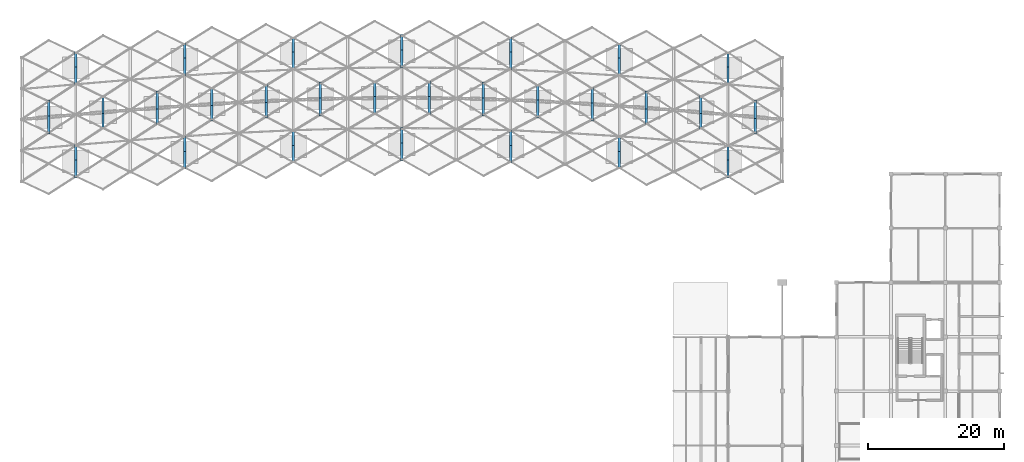
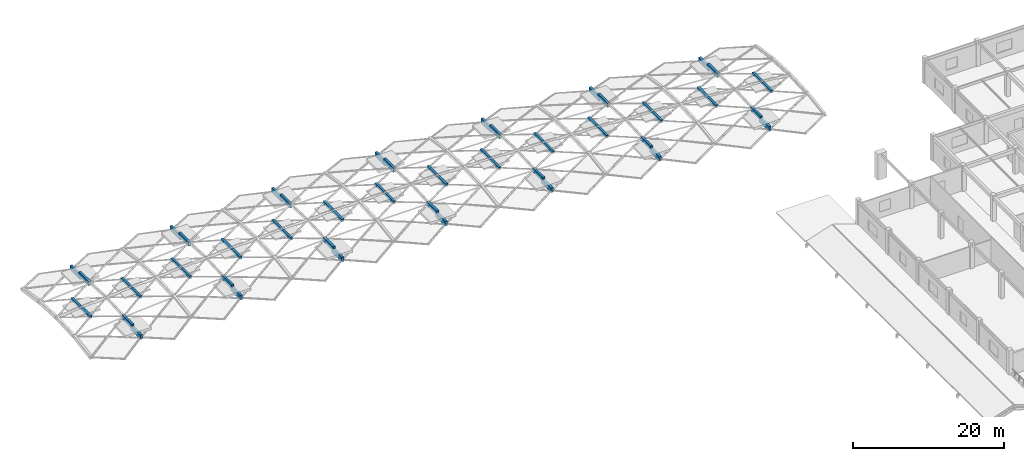
# One storey, part 19 of 27: 56 discrete accessories.
"""IFC4 building model written with IfcOpenShell, lengths in metres."""

from ifc_helpers import new_model, si_unit, direction, frame, origin, origin_2d, place, context, subcontext, project, spatial, rectangle, extrude, material, type_object, element, save


model = new_model("IFC4")

# Units and contexts
model_context = context("Model", 3, precision=1e-05, world=origin(), true_north=direction((0.0, 1.0)))
body_context = subcontext(model_context, "Body", "Model", "MODEL_VIEW")
ifc_project = project(units=[si_unit("LENGTHUNIT", "METRE"), si_unit("AREAUNIT", "SQUARE_METRE"), si_unit("VOLUMEUNIT", "CUBIC_METRE"), si_unit("PLANEANGLEUNIT", "RADIAN"), si_unit("MASSUNIT", "GRAM", prefix="KILO")], contexts=[model_context])

# Site, building, storey
site_placement = place(None, origin())
site = spatial("IfcSite", under=ifc_project, at=site_placement, CompositionType="ELEMENT")
building_placement = place(site_placement, origin())
building = spatial("IfcBuilding", under=site, at=building_placement, Name="Kenh Van Central Station", CompositionType="ELEMENT")
storey_placement = place(building_placement, frame((0.0, 0.0, 19.199951171875)))
storey = spatial("IfcBuildingStorey", under=building, at=storey_placement, Name="L04", CompositionType="ELEMENT", Elevation=19.199951171875)

# Discrete accessories
ifc_material = material(Name="White fluoropolymer structural steel S355", Category="steel")
discrete_accessory_type = type_object("IfcDiscreteAccessoryType", Name="ACC-BRKT-STL", PredefinedType="BRACKET", material=ifc_material)
discrete_accessory_1_placement = place(storey_placement, frame((36.0, 87.211181640625, 1.763916015625), z_axis=(0.0, 0.0, 1.0), x_axis=(1.0, 0.0, 0.0)))
element("IfcDiscreteAccessory", 1, at=discrete_accessory_1_placement, inside=storey, type_object=discrete_accessory_type, Name="Vault louvre fixing bracket 001", PredefinedType="BRACKET", context=body_context, shape_type="SweptSolid", body=[
    extrude(rectangle(XDim=0.360107421875, YDim=2.65185546875, at=origin_2d()), origin(), (0.0, 0.0, 1.0), 0.38818359375),
])
discrete_accessory_2_placement = place(storey_placement, frame((36.0, 89.504150390625, 1.763916015625), z_axis=(0.0, 0.0, 1.0), x_axis=(1.0, 0.0, 0.0)))
element("IfcDiscreteAccessory", 2, at=discrete_accessory_2_placement, inside=storey, type_object=discrete_accessory_type, Name="Vault louvre fixing bracket 002", PredefinedType="BRACKET", context=body_context, shape_type="SweptSolid", body=[
    extrude(rectangle(XDim=0.360107421875, YDim=2.654052734375, at=origin_2d()), origin(), (0.0, 0.0, 1.0), 0.38818359375),
])
discrete_accessory_3_placement = place(storey_placement, frame((40.0, 80.728759765625, 0.90185546875), z_axis=(0.0, 0.0, 1.0), x_axis=(1.0, 0.0, 0.0)))
element("IfcDiscreteAccessory", 3, at=discrete_accessory_3_placement, inside=storey, type_object=discrete_accessory_type, Name="Vault louvre fixing bracket 005", PredefinedType="BRACKET", context=body_context, shape_type="SweptSolid", body=[
    extrude(rectangle(XDim=0.360107421875, YDim=2.619384765625, at=origin_2d()), origin(), (0.0, 0.0, 1.0), 0.73681640625),
])
discrete_accessory_4_placement = place(storey_placement, frame((40.0, 82.995361328125, 1.2783203125), z_axis=(0.0, 0.0, 1.0), x_axis=(1.0, 0.0, 0.0)))
element("IfcDiscreteAccessory", 4, at=discrete_accessory_4_placement, inside=storey, type_object=discrete_accessory_type, Name="Vault louvre fixing bracket 006", PredefinedType="BRACKET", context=body_context, shape_type="SweptSolid", body=[
    extrude(rectangle(XDim=0.360107421875, YDim=2.63330078125, at=origin_2d()), origin(), (0.0, 0.0, 1.0), 0.676025390625),
])
discrete_accessory_5_placement = place(storey_placement, frame((40.0, 94.4267578125, 1.2783203125), z_axis=(0.0, 0.0, 1.0), x_axis=(1.0, 0.0, 0.0)))
element("IfcDiscreteAccessory", 5, at=discrete_accessory_5_placement, inside=storey, type_object=discrete_accessory_type, Name="Vault louvre fixing bracket 007", PredefinedType="BRACKET", context=body_context, shape_type="SweptSolid", body=[
    extrude(rectangle(XDim=0.360107421875, YDim=2.62890625, at=origin_2d()), origin(), (0.0, 0.0, 1.0), 0.676025390625),
])
discrete_accessory_6_placement = place(storey_placement, frame((40.0, 96.693115234375, 0.90185546875), z_axis=(0.0, 0.0, 1.0), x_axis=(1.0, 0.0, 0.0)))
element("IfcDiscreteAccessory", 6, at=discrete_accessory_6_placement, inside=storey, type_object=discrete_accessory_type, Name="Vault louvre fixing bracket 008", PredefinedType="BRACKET", context=body_context, shape_type="SweptSolid", body=[
    extrude(rectangle(XDim=0.360107421875, YDim=2.6240234375, at=origin_2d()), origin(), (0.0, 0.0, 1.0), 0.736572265625),
])
discrete_accessory_7_placement = place(storey_placement, frame((44.0, 87.90869140625, 1.763916015625), z_axis=(0.0, 0.0, 1.0), x_axis=(1.0, 0.0, 0.0)))
element("IfcDiscreteAccessory", 7, at=discrete_accessory_7_placement, inside=storey, type_object=discrete_accessory_type, Name="Vault louvre fixing bracket 011", PredefinedType="BRACKET", context=body_context, shape_type="SweptSolid", body=[
    extrude(rectangle(XDim=0.360107421875, YDim=2.649658203125, at=origin_2d()), origin(), (0.0, 0.0, 1.0), 0.38818359375),
])
discrete_accessory_8_placement = place(storey_placement, frame((44.0, 90.20166015625, 1.763916015625), z_axis=(0.0, 0.0, 1.0), x_axis=(1.0, 0.0, 0.0)))
element("IfcDiscreteAccessory", 8, at=discrete_accessory_8_placement, inside=storey, type_object=discrete_accessory_type, Name="Vault louvre fixing bracket 012", PredefinedType="BRACKET", context=body_context, shape_type="SweptSolid", body=[
    extrude(rectangle(XDim=0.360107421875, YDim=2.65625, at=origin_2d()), origin(), (0.0, 0.0, 1.0), 0.38818359375),
])
discrete_accessory_9_placement = place(storey_placement, frame((52.0, 88.553466796875, 1.763916015625), z_axis=(0.0, 0.0, 1.0), x_axis=(1.0, 0.0, 0.0)))
element("IfcDiscreteAccessory", 9, at=discrete_accessory_9_placement, inside=storey, type_object=discrete_accessory_type, Name="Vault louvre fixing bracket 017", PredefinedType="BRACKET", context=body_context, shape_type="SweptSolid", body=[
    extrude(rectangle(XDim=0.360107421875, YDim=2.647705078125, at=origin_2d()), origin(), (0.0, 0.0, 1.0), 0.38818359375),
])
discrete_accessory_10_placement = place(storey_placement, frame((52.0, 90.84619140625, 1.763916015625), z_axis=(0.0, 0.0, 1.0), x_axis=(1.0, 0.0, 0.0)))
element("IfcDiscreteAccessory", 10, at=discrete_accessory_10_placement, inside=storey, type_object=discrete_accessory_type, Name="Vault louvre fixing bracket 018", PredefinedType="BRACKET", context=body_context, shape_type="SweptSolid", body=[
    extrude(rectangle(XDim=0.360107421875, YDim=2.658203125, at=origin_2d()), origin(), (0.0, 0.0, 1.0), 0.38818359375),
])
discrete_accessory_11_placement = place(storey_placement, frame((56.0, 82.010009765625, 0.90185546875), z_axis=(0.0, 0.0, 1.0), x_axis=(1.0, 0.0, 0.0)))
element("IfcDiscreteAccessory", 11, at=discrete_accessory_11_placement, inside=storey, type_object=discrete_accessory_type, Name="Vault louvre fixing bracket 021", PredefinedType="BRACKET", context=body_context, shape_type="SweptSolid", body=[
    extrude(rectangle(XDim=0.360107421875, YDim=2.615478515625, at=origin_2d()), origin(), (0.0, 0.0, 1.0), 0.73681640625),
])
discrete_accessory_12_placement = place(storey_placement, frame((56.0, 84.2763671875, 1.2783203125), z_axis=(0.0, 0.0, 1.0), x_axis=(1.0, 0.0, 0.0)))
element("IfcDiscreteAccessory", 12, at=discrete_accessory_12_placement, inside=storey, type_object=discrete_accessory_type, Name="Vault louvre fixing bracket 022", PredefinedType="BRACKET", context=body_context, shape_type="SweptSolid", body=[
    extrude(rectangle(XDim=0.360107421875, YDim=2.63720703125, at=origin_2d()), origin(), (0.0, 0.0, 1.0), 0.676025390625),
])
discrete_accessory_13_placement = place(storey_placement, frame((56.0, 95.707763671875, 1.2783203125), z_axis=(0.0, 0.0, 1.0), x_axis=(1.0, 0.0, 0.0)))
element("IfcDiscreteAccessory", 13, at=discrete_accessory_13_placement, inside=storey, type_object=discrete_accessory_type, Name="Vault louvre fixing bracket 023", PredefinedType="BRACKET", context=body_context, shape_type="SweptSolid", body=[
    extrude(rectangle(XDim=0.360107421875, YDim=2.624755859375, at=origin_2d()), origin(), (0.0, 0.0, 1.0), 0.676025390625),
])
discrete_accessory_14_placement = place(storey_placement, frame((56.0, 97.97412109375, 0.90185546875), z_axis=(0.0, 0.0, 1.0), x_axis=(1.0, 0.0, 0.0)))
element("IfcDiscreteAccessory", 14, at=discrete_accessory_14_placement, inside=storey, type_object=discrete_accessory_type, Name="Vault louvre fixing bracket 024", PredefinedType="BRACKET", context=body_context, shape_type="SweptSolid", body=[
    extrude(rectangle(XDim=0.360107421875, YDim=2.628173828125, at=origin_2d()), origin(), (0.0, 0.0, 1.0), 0.736572265625),
])
discrete_accessory_15_placement = place(storey_placement, frame((60.0, 89.11279296875, 1.763916015625), z_axis=(0.0, 0.0, 1.0), x_axis=(1.0, 0.0, 0.0)))
element("IfcDiscreteAccessory", 15, at=discrete_accessory_15_placement, inside=storey, type_object=discrete_accessory_type, Name="Vault louvre fixing bracket 027", PredefinedType="BRACKET", context=body_context, shape_type="SweptSolid", body=[
    extrude(rectangle(XDim=0.360107421875, YDim=2.645751953125, at=origin_2d()), origin(), (0.0, 0.0, 1.0), 0.38818359375),
])
discrete_accessory_16_placement = place(storey_placement, frame((60.0, 91.405517578125, 1.763916015625), z_axis=(0.0, 0.0, 1.0), x_axis=(1.0, 0.0, 0.0)))
element("IfcDiscreteAccessory", 16, at=discrete_accessory_16_placement, inside=storey, type_object=discrete_accessory_type, Name="Vault louvre fixing bracket 028", PredefinedType="BRACKET", context=body_context, shape_type="SweptSolid", body=[
    extrude(rectangle(XDim=0.360107421875, YDim=2.659912109375, at=origin_2d()), origin(), (0.0, 0.0, 1.0), 0.38818359375),
])
discrete_accessory_17_placement = place(storey_placement, frame((68.0, 89.558837890625, 1.763916015625), z_axis=(0.0, 0.0, 1.0), x_axis=(1.0, 0.0, 0.0)))
element("IfcDiscreteAccessory", 17, at=discrete_accessory_17_placement, inside=storey, type_object=discrete_accessory_type, Name="Vault louvre fixing bracket 033", PredefinedType="BRACKET", context=body_context, shape_type="SweptSolid", body=[
    extrude(rectangle(XDim=0.360107421875, YDim=2.644287109375, at=origin_2d()), origin(), (0.0, 0.0, 1.0), 0.38818359375),
])
discrete_accessory_18_placement = place(storey_placement, frame((68.0, 91.851806640625, 1.763916015625), z_axis=(0.0, 0.0, 1.0), x_axis=(1.0, 0.0, 0.0)))
element("IfcDiscreteAccessory", 18, at=discrete_accessory_18_placement, inside=storey, type_object=discrete_accessory_type, Name="Vault louvre fixing bracket 034", PredefinedType="BRACKET", context=body_context, shape_type="SweptSolid", body=[
    extrude(rectangle(XDim=0.360107421875, YDim=2.661376953125, at=origin_2d()), origin(), (0.0, 0.0, 1.0), 0.38818359375),
])
discrete_accessory_19_placement = place(storey_placement, frame((72.0, 82.896484375, 0.90185546875), z_axis=(0.0, 0.0, 1.0), x_axis=(1.0, 0.0, 0.0)))
element("IfcDiscreteAccessory", 19, at=discrete_accessory_19_placement, inside=storey, type_object=discrete_accessory_type, Name="Vault louvre fixing bracket 037", PredefinedType="BRACKET", context=body_context, shape_type="SweptSolid", body=[
    extrude(rectangle(XDim=0.360107421875, YDim=2.61279296875, at=origin_2d()), origin(), (0.0, 0.0, 1.0), 0.73681640625),
])
discrete_accessory_20_placement = place(storey_placement, frame((72.0, 85.162841796875, 1.2783203125), z_axis=(0.0, 0.0, 1.0), x_axis=(1.0, 0.0, 0.0)))
element("IfcDiscreteAccessory", 20, at=discrete_accessory_20_placement, inside=storey, type_object=discrete_accessory_type, Name="Vault louvre fixing bracket 038", PredefinedType="BRACKET", context=body_context, shape_type="SweptSolid", body=[
    extrude(rectangle(XDim=0.360107421875, YDim=2.64013671875, at=origin_2d()), origin(), (0.0, 0.0, 1.0), 0.676025390625),
])
discrete_accessory_21_placement = place(storey_placement, frame((72.0, 96.59423828125, 1.2783203125), z_axis=(0.0, 0.0, 1.0), x_axis=(1.0, 0.0, 0.0)))
element("IfcDiscreteAccessory", 21, at=discrete_accessory_21_placement, inside=storey, type_object=discrete_accessory_type, Name="Vault louvre fixing bracket 039", PredefinedType="BRACKET", context=body_context, shape_type="SweptSolid", body=[
    extrude(rectangle(XDim=0.360107421875, YDim=2.6220703125, at=origin_2d()), origin(), (0.0, 0.0, 1.0), 0.676025390625),
])
discrete_accessory_22_placement = place(storey_placement, frame((72.0, 98.860595703125, 0.90185546875), z_axis=(0.0, 0.0, 1.0), x_axis=(1.0, 0.0, 0.0)))
element("IfcDiscreteAccessory", 22, at=discrete_accessory_22_placement, inside=storey, type_object=discrete_accessory_type, Name="Vault louvre fixing bracket 040", PredefinedType="BRACKET", context=body_context, shape_type="SweptSolid", body=[
    extrude(rectangle(XDim=0.360107421875, YDim=2.630859375, at=origin_2d()), origin(), (0.0, 0.0, 1.0), 0.736572265625),
])
discrete_accessory_23_placement = place(storey_placement, frame((76.0, 89.869140625, 1.763916015625), z_axis=(0.0, 0.0, 1.0), x_axis=(1.0, 0.0, 0.0)))
element("IfcDiscreteAccessory", 23, at=discrete_accessory_23_placement, inside=storey, type_object=discrete_accessory_type, Name="Vault louvre fixing bracket 043", PredefinedType="BRACKET", context=body_context, shape_type="SweptSolid", body=[
    extrude(rectangle(XDim=0.360107421875, YDim=2.643310546875, at=origin_2d()), origin(), (0.0, 0.0, 1.0), 0.38818359375),
])
discrete_accessory_24_placement = place(storey_placement, frame((76.0, 92.162109375, 1.763916015625), z_axis=(0.0, 0.0, 1.0), x_axis=(1.0, 0.0, 0.0)))
element("IfcDiscreteAccessory", 24, at=discrete_accessory_24_placement, inside=storey, type_object=discrete_accessory_type, Name="Vault louvre fixing bracket 044", PredefinedType="BRACKET", context=body_context, shape_type="SweptSolid", body=[
    extrude(rectangle(XDim=0.360107421875, YDim=2.662353515625, at=origin_2d()), origin(), (0.0, 0.0, 1.0), 0.38818359375),
])
discrete_accessory_25_placement = place(storey_placement, frame((84.0, 90.028564453125, 1.763916015625), z_axis=(0.0, 0.0, 1.0), x_axis=(1.0, 0.0, 0.0)))
element("IfcDiscreteAccessory", 25, at=discrete_accessory_25_placement, inside=storey, type_object=discrete_accessory_type, Name="Vault louvre fixing bracket 049", PredefinedType="BRACKET", context=body_context, shape_type="SweptSolid", body=[
    extrude(rectangle(XDim=0.360107421875, YDim=2.642822265625, at=origin_2d()), origin(), (0.0, 0.0, 1.0), 0.38818359375),
])
discrete_accessory_26_placement = place(storey_placement, frame((84.0, 92.3212890625, 1.763916015625), z_axis=(0.0, 0.0, 1.0), x_axis=(1.0, 0.0, 0.0)))
element("IfcDiscreteAccessory", 26, at=discrete_accessory_26_placement, inside=storey, type_object=discrete_accessory_type, Name="Vault louvre fixing bracket 050", PredefinedType="BRACKET", context=body_context, shape_type="SweptSolid", body=[
    extrude(rectangle(XDim=0.360107421875, YDim=2.662841796875, at=origin_2d()), origin(), (0.0, 0.0, 1.0), 0.38818359375),
])
discrete_accessory_27_placement = place(storey_placement, frame((88.0, 83.212890625, 0.90185546875), z_axis=(0.0, 0.0, 1.0), x_axis=(1.0, 0.0, 0.0)))
element("IfcDiscreteAccessory", 27, at=discrete_accessory_27_placement, inside=storey, type_object=discrete_accessory_type, Name="Vault louvre fixing bracket 053", PredefinedType="BRACKET", context=body_context, shape_type="SweptSolid", body=[
    extrude(rectangle(XDim=0.360107421875, YDim=2.61181640625, at=origin_2d()), origin(), (0.0, 0.0, 1.0), 0.73681640625),
])
discrete_accessory_28_placement = place(storey_placement, frame((88.0, 85.479248046875, 1.2783203125), z_axis=(0.0, 0.0, 1.0), x_axis=(1.0, 0.0, 0.0)))
element("IfcDiscreteAccessory", 28, at=discrete_accessory_28_placement, inside=storey, type_object=discrete_accessory_type, Name="Vault louvre fixing bracket 054", PredefinedType="BRACKET", context=body_context, shape_type="SweptSolid", body=[
    extrude(rectangle(XDim=0.360107421875, YDim=2.64111328125, at=origin_2d()), origin(), (0.0, 0.0, 1.0), 0.676025390625),
])
discrete_accessory_29_placement = place(storey_placement, frame((88.0, 96.91064453125, 1.2783203125), z_axis=(0.0, 0.0, 1.0), x_axis=(1.0, 0.0, 0.0)))
element("IfcDiscreteAccessory", 29, at=discrete_accessory_29_placement, inside=storey, type_object=discrete_accessory_type, Name="Vault louvre fixing bracket 055", PredefinedType="BRACKET", context=body_context, shape_type="SweptSolid", body=[
    extrude(rectangle(XDim=0.360107421875, YDim=2.62109375, at=origin_2d()), origin(), (0.0, 0.0, 1.0), 0.676025390625),
])
discrete_accessory_30_placement = place(storey_placement, frame((88.0, 99.17724609375, 0.90185546875), z_axis=(0.0, 0.0, 1.0), x_axis=(1.0, 0.0, 0.0)))
element("IfcDiscreteAccessory", 30, at=discrete_accessory_30_placement, inside=storey, type_object=discrete_accessory_type, Name="Vault louvre fixing bracket 056", PredefinedType="BRACKET", context=body_context, shape_type="SweptSolid", body=[
    extrude(rectangle(XDim=0.360107421875, YDim=2.6318359375, at=origin_2d()), origin(), (0.0, 0.0, 1.0), 0.736572265625),
])
discrete_accessory_31_placement = place(storey_placement, frame((92.0, 90.028564453125, 1.763916015625), z_axis=(0.0, 0.0, 1.0), x_axis=(1.0, 0.0, 0.0)))
element("IfcDiscreteAccessory", 31, at=discrete_accessory_31_placement, inside=storey, type_object=discrete_accessory_type, Name="Vault louvre fixing bracket 059", PredefinedType="BRACKET", context=body_context, shape_type="SweptSolid", body=[
    extrude(rectangle(XDim=0.360107421875, YDim=2.642822265625, at=origin_2d()), origin(), (0.0, 0.0, 1.0), 0.38818359375),
])
discrete_accessory_32_placement = place(storey_placement, frame((92.0, 92.3212890625, 1.763916015625), z_axis=(0.0, 0.0, 1.0), x_axis=(1.0, 0.0, 0.0)))
element("IfcDiscreteAccessory", 32, at=discrete_accessory_32_placement, inside=storey, type_object=discrete_accessory_type, Name="Vault louvre fixing bracket 060", PredefinedType="BRACKET", context=body_context, shape_type="SweptSolid", body=[
    extrude(rectangle(XDim=0.360107421875, YDim=2.662841796875, at=origin_2d()), origin(), (0.0, 0.0, 1.0), 0.38818359375),
])
discrete_accessory_33_placement = place(storey_placement, frame((100.0, 89.869140625, 1.763916015625), z_axis=(0.0, 0.0, 1.0), x_axis=(1.0, 0.0, 0.0)))
element("IfcDiscreteAccessory", 33, at=discrete_accessory_33_placement, inside=storey, type_object=discrete_accessory_type, Name="Vault louvre fixing bracket 065", PredefinedType="BRACKET", context=body_context, shape_type="SweptSolid", body=[
    extrude(rectangle(XDim=0.360107421875, YDim=2.643310546875, at=origin_2d()), origin(), (0.0, 0.0, 1.0), 0.38818359375),
])
discrete_accessory_34_placement = place(storey_placement, frame((100.0, 92.162109375, 1.763916015625), z_axis=(0.0, 0.0, 1.0), x_axis=(1.0, 0.0, 0.0)))
element("IfcDiscreteAccessory", 34, at=discrete_accessory_34_placement, inside=storey, type_object=discrete_accessory_type, Name="Vault louvre fixing bracket 066", PredefinedType="BRACKET", context=body_context, shape_type="SweptSolid", body=[
    extrude(rectangle(XDim=0.360107421875, YDim=2.662353515625, at=origin_2d()), origin(), (0.0, 0.0, 1.0), 0.38818359375),
])
discrete_accessory_35_placement = place(storey_placement, frame((104.0, 82.896484375, 0.90185546875), z_axis=(0.0, 0.0, 1.0), x_axis=(1.0, 0.0, 0.0)))
element("IfcDiscreteAccessory", 35, at=discrete_accessory_35_placement, inside=storey, type_object=discrete_accessory_type, Name="Vault louvre fixing bracket 069", PredefinedType="BRACKET", context=body_context, shape_type="SweptSolid", body=[
    extrude(rectangle(XDim=0.360107421875, YDim=2.61279296875, at=origin_2d()), origin(), (0.0, 0.0, 1.0), 0.73681640625),
])
discrete_accessory_36_placement = place(storey_placement, frame((104.0, 85.162841796875, 1.2783203125), z_axis=(0.0, 0.0, 1.0), x_axis=(1.0, 0.0, 0.0)))
element("IfcDiscreteAccessory", 36, at=discrete_accessory_36_placement, inside=storey, type_object=discrete_accessory_type, Name="Vault louvre fixing bracket 070", PredefinedType="BRACKET", context=body_context, shape_type="SweptSolid", body=[
    extrude(rectangle(XDim=0.360107421875, YDim=2.64013671875, at=origin_2d()), origin(), (0.0, 0.0, 1.0), 0.676025390625),
])
discrete_accessory_37_placement = place(storey_placement, frame((104.0, 96.59423828125, 1.2783203125), z_axis=(0.0, 0.0, 1.0), x_axis=(1.0, 0.0, 0.0)))
element("IfcDiscreteAccessory", 37, at=discrete_accessory_37_placement, inside=storey, type_object=discrete_accessory_type, Name="Vault louvre fixing bracket 071", PredefinedType="BRACKET", context=body_context, shape_type="SweptSolid", body=[
    extrude(rectangle(XDim=0.360107421875, YDim=2.6220703125, at=origin_2d()), origin(), (0.0, 0.0, 1.0), 0.676025390625),
])
discrete_accessory_38_placement = place(storey_placement, frame((104.0, 98.860595703125, 0.90185546875), z_axis=(0.0, 0.0, 1.0), x_axis=(1.0, 0.0, 0.0)))
element("IfcDiscreteAccessory", 38, at=discrete_accessory_38_placement, inside=storey, type_object=discrete_accessory_type, Name="Vault louvre fixing bracket 072", PredefinedType="BRACKET", context=body_context, shape_type="SweptSolid", body=[
    extrude(rectangle(XDim=0.360107421875, YDim=2.630859375, at=origin_2d()), origin(), (0.0, 0.0, 1.0), 0.736572265625),
])
discrete_accessory_39_placement = place(storey_placement, frame((108.0, 89.558837890625, 1.763916015625), z_axis=(0.0, 0.0, 1.0), x_axis=(1.0, 0.0, 0.0)))
element("IfcDiscreteAccessory", 39, at=discrete_accessory_39_placement, inside=storey, type_object=discrete_accessory_type, Name="Vault louvre fixing bracket 075", PredefinedType="BRACKET", context=body_context, shape_type="SweptSolid", body=[
    extrude(rectangle(XDim=0.360107421875, YDim=2.644287109375, at=origin_2d()), origin(), (0.0, 0.0, 1.0), 0.38818359375),
])
discrete_accessory_40_placement = place(storey_placement, frame((108.0, 91.851806640625, 1.763916015625), z_axis=(0.0, 0.0, 1.0), x_axis=(1.0, 0.0, 0.0)))
element("IfcDiscreteAccessory", 40, at=discrete_accessory_40_placement, inside=storey, type_object=discrete_accessory_type, Name="Vault louvre fixing bracket 076", PredefinedType="BRACKET", context=body_context, shape_type="SweptSolid", body=[
    extrude(rectangle(XDim=0.360107421875, YDim=2.661376953125, at=origin_2d()), origin(), (0.0, 0.0, 1.0), 0.38818359375),
])
discrete_accessory_41_placement = place(storey_placement, frame((116.0, 89.11279296875, 1.763916015625), z_axis=(0.0, 0.0, 1.0), x_axis=(1.0, 0.0, 0.0)))
element("IfcDiscreteAccessory", 41, at=discrete_accessory_41_placement, inside=storey, type_object=discrete_accessory_type, Name="Vault louvre fixing bracket 081", PredefinedType="BRACKET", context=body_context, shape_type="SweptSolid", body=[
    extrude(rectangle(XDim=0.360107421875, YDim=2.645751953125, at=origin_2d()), origin(), (0.0, 0.0, 1.0), 0.38818359375),
])
discrete_accessory_42_placement = place(storey_placement, frame((116.0, 91.405517578125, 1.763916015625), z_axis=(0.0, 0.0, 1.0), x_axis=(1.0, 0.0, 0.0)))
element("IfcDiscreteAccessory", 42, at=discrete_accessory_42_placement, inside=storey, type_object=discrete_accessory_type, Name="Vault louvre fixing bracket 082", PredefinedType="BRACKET", context=body_context, shape_type="SweptSolid", body=[
    extrude(rectangle(XDim=0.360107421875, YDim=2.659912109375, at=origin_2d()), origin(), (0.0, 0.0, 1.0), 0.38818359375),
])
discrete_accessory_43_placement = place(storey_placement, frame((120.0, 82.010009765625, 0.90185546875), z_axis=(0.0, 0.0, 1.0), x_axis=(1.0, 0.0, 0.0)))
element("IfcDiscreteAccessory", 43, at=discrete_accessory_43_placement, inside=storey, type_object=discrete_accessory_type, Name="Vault louvre fixing bracket 085", PredefinedType="BRACKET", context=body_context, shape_type="SweptSolid", body=[
    extrude(rectangle(XDim=0.360107421875, YDim=2.615478515625, at=origin_2d()), origin(), (0.0, 0.0, 1.0), 0.73681640625),
])
discrete_accessory_44_placement = place(storey_placement, frame((120.0, 84.2763671875, 1.2783203125), z_axis=(0.0, 0.0, 1.0), x_axis=(1.0, 0.0, 0.0)))
element("IfcDiscreteAccessory", 44, at=discrete_accessory_44_placement, inside=storey, type_object=discrete_accessory_type, Name="Vault louvre fixing bracket 086", PredefinedType="BRACKET", context=body_context, shape_type="SweptSolid", body=[
    extrude(rectangle(XDim=0.360107421875, YDim=2.63720703125, at=origin_2d()), origin(), (0.0, 0.0, 1.0), 0.676025390625),
])
discrete_accessory_45_placement = place(storey_placement, frame((120.0, 95.707763671875, 1.2783203125), z_axis=(0.0, 0.0, 1.0), x_axis=(1.0, 0.0, 0.0)))
element("IfcDiscreteAccessory", 45, at=discrete_accessory_45_placement, inside=storey, type_object=discrete_accessory_type, Name="Vault louvre fixing bracket 087", PredefinedType="BRACKET", context=body_context, shape_type="SweptSolid", body=[
    extrude(rectangle(XDim=0.360107421875, YDim=2.624755859375, at=origin_2d()), origin(), (0.0, 0.0, 1.0), 0.676025390625),
])
discrete_accessory_46_placement = place(storey_placement, frame((120.0, 97.97412109375, 0.90185546875), z_axis=(0.0, 0.0, 1.0), x_axis=(1.0, 0.0, 0.0)))
element("IfcDiscreteAccessory", 46, at=discrete_accessory_46_placement, inside=storey, type_object=discrete_accessory_type, Name="Vault louvre fixing bracket 088", PredefinedType="BRACKET", context=body_context, shape_type="SweptSolid", body=[
    extrude(rectangle(XDim=0.360107421875, YDim=2.628173828125, at=origin_2d()), origin(), (0.0, 0.0, 1.0), 0.736572265625),
])
discrete_accessory_47_placement = place(storey_placement, frame((124.0, 88.553466796875, 1.763916015625), z_axis=(0.0, 0.0, 1.0), x_axis=(1.0, 0.0, 0.0)))
element("IfcDiscreteAccessory", 47, at=discrete_accessory_47_placement, inside=storey, type_object=discrete_accessory_type, Name="Vault louvre fixing bracket 091", PredefinedType="BRACKET", context=body_context, shape_type="SweptSolid", body=[
    extrude(rectangle(XDim=0.360107421875, YDim=2.647705078125, at=origin_2d()), origin(), (0.0, 0.0, 1.0), 0.38818359375),
])
discrete_accessory_48_placement = place(storey_placement, frame((124.0, 90.84619140625, 1.763916015625), z_axis=(0.0, 0.0, 1.0), x_axis=(1.0, 0.0, 0.0)))
element("IfcDiscreteAccessory", 48, at=discrete_accessory_48_placement, inside=storey, type_object=discrete_accessory_type, Name="Vault louvre fixing bracket 092", PredefinedType="BRACKET", context=body_context, shape_type="SweptSolid", body=[
    extrude(rectangle(XDim=0.360107421875, YDim=2.658203125, at=origin_2d()), origin(), (0.0, 0.0, 1.0), 0.38818359375),
])
discrete_accessory_49_placement = place(storey_placement, frame((132.0, 87.90869140625, 1.763916015625), z_axis=(0.0, 0.0, 1.0), x_axis=(1.0, 0.0, 0.0)))
element("IfcDiscreteAccessory", 49, at=discrete_accessory_49_placement, inside=storey, type_object=discrete_accessory_type, Name="Vault louvre fixing bracket 097", PredefinedType="BRACKET", context=body_context, shape_type="SweptSolid", body=[
    extrude(rectangle(XDim=0.360107421875, YDim=2.649658203125, at=origin_2d()), origin(), (0.0, 0.0, 1.0), 0.38818359375),
])
discrete_accessory_50_placement = place(storey_placement, frame((132.0, 90.20166015625, 1.763916015625), z_axis=(0.0, 0.0, 1.0), x_axis=(1.0, 0.0, 0.0)))
element("IfcDiscreteAccessory", 50, at=discrete_accessory_50_placement, inside=storey, type_object=discrete_accessory_type, Name="Vault louvre fixing bracket 098", PredefinedType="BRACKET", context=body_context, shape_type="SweptSolid", body=[
    extrude(rectangle(XDim=0.360107421875, YDim=2.65625, at=origin_2d()), origin(), (0.0, 0.0, 1.0), 0.38818359375),
])
discrete_accessory_51_placement = place(storey_placement, frame((136.0, 80.728759765625, 0.90185546875), z_axis=(0.0, 0.0, 1.0), x_axis=(1.0, 0.0, 0.0)))
element("IfcDiscreteAccessory", 51, at=discrete_accessory_51_placement, inside=storey, type_object=discrete_accessory_type, Name="Vault louvre fixing bracket 101", PredefinedType="BRACKET", context=body_context, shape_type="SweptSolid", body=[
    extrude(rectangle(XDim=0.360107421875, YDim=2.619384765625, at=origin_2d()), origin(), (0.0, 0.0, 1.0), 0.73681640625),
])
discrete_accessory_52_placement = place(storey_placement, frame((136.0, 82.995361328125, 1.2783203125), z_axis=(0.0, 0.0, 1.0), x_axis=(1.0, 0.0, 0.0)))
element("IfcDiscreteAccessory", 52, at=discrete_accessory_52_placement, inside=storey, type_object=discrete_accessory_type, Name="Vault louvre fixing bracket 102", PredefinedType="BRACKET", context=body_context, shape_type="SweptSolid", body=[
    extrude(rectangle(XDim=0.360107421875, YDim=2.63330078125, at=origin_2d()), origin(), (0.0, 0.0, 1.0), 0.676025390625),
])
discrete_accessory_53_placement = place(storey_placement, frame((136.0, 94.4267578125, 1.2783203125), z_axis=(0.0, 0.0, 1.0), x_axis=(1.0, 0.0, 0.0)))
element("IfcDiscreteAccessory", 53, at=discrete_accessory_53_placement, inside=storey, type_object=discrete_accessory_type, Name="Vault louvre fixing bracket 103", PredefinedType="BRACKET", context=body_context, shape_type="SweptSolid", body=[
    extrude(rectangle(XDim=0.360107421875, YDim=2.62890625, at=origin_2d()), origin(), (0.0, 0.0, 1.0), 0.676025390625),
])
discrete_accessory_54_placement = place(storey_placement, frame((136.0, 96.693115234375, 0.90185546875), z_axis=(0.0, 0.0, 1.0), x_axis=(1.0, 0.0, 0.0)))
element("IfcDiscreteAccessory", 54, at=discrete_accessory_54_placement, inside=storey, type_object=discrete_accessory_type, Name="Vault louvre fixing bracket 104", PredefinedType="BRACKET", context=body_context, shape_type="SweptSolid", body=[
    extrude(rectangle(XDim=0.360107421875, YDim=2.6240234375, at=origin_2d()), origin(), (0.0, 0.0, 1.0), 0.736572265625),
])
discrete_accessory_55_placement = place(storey_placement, frame((140.0, 87.211181640625, 1.763916015625), z_axis=(0.0, 0.0, 1.0), x_axis=(1.0, 0.0, 0.0)))
element("IfcDiscreteAccessory", 55, at=discrete_accessory_55_placement, inside=storey, type_object=discrete_accessory_type, Name="Vault louvre fixing bracket 107", PredefinedType="BRACKET", context=body_context, shape_type="SweptSolid", body=[
    extrude(rectangle(XDim=0.360107421875, YDim=2.65185546875, at=origin_2d()), origin(), (0.0, 0.0, 1.0), 0.38818359375),
])
discrete_accessory_56_placement = place(storey_placement, frame((140.0, 89.504150390625, 1.763916015625), z_axis=(0.0, 0.0, 1.0), x_axis=(1.0, 0.0, 0.0)))
element("IfcDiscreteAccessory", 56, at=discrete_accessory_56_placement, inside=storey, type_object=discrete_accessory_type, Name="Vault louvre fixing bracket 108", PredefinedType="BRACKET", context=body_context, shape_type="SweptSolid", body=[
    extrude(rectangle(XDim=0.360107421875, YDim=2.654052734375, at=origin_2d()), origin(), (0.0, 0.0, 1.0), 0.38818359375),
])

save(model, "model.ifc")
